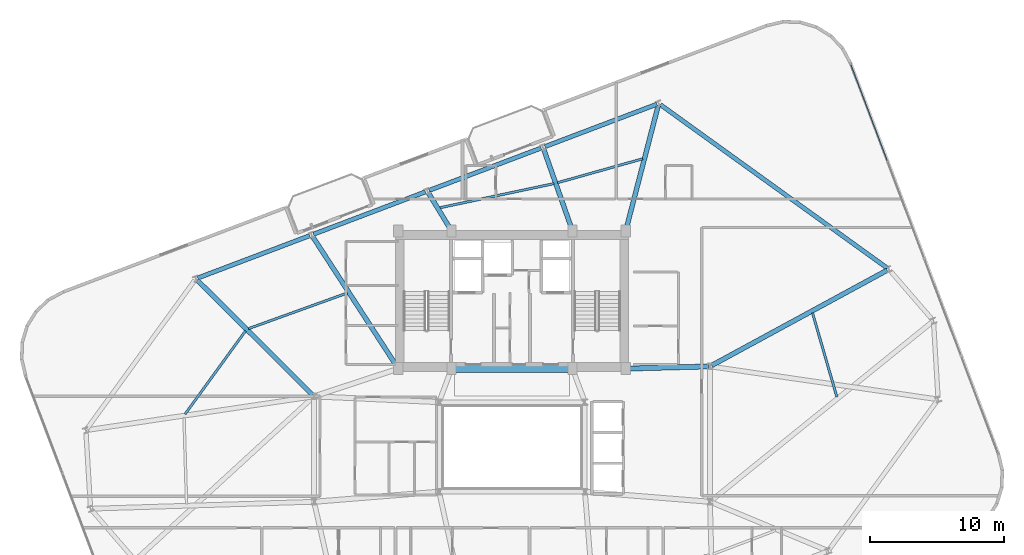
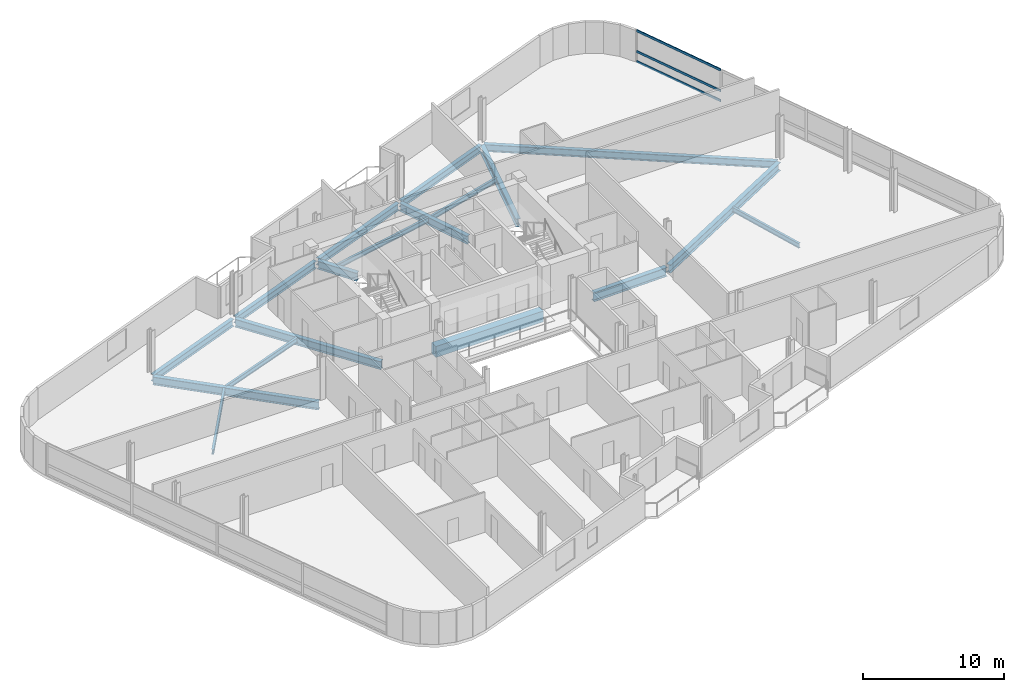
# One storey, part 9 of 20: 18 beams, 3 members, 1 element without a shape of its own.
"""IFC4 building model written with IfcOpenShell, lengths in metres."""

from ifc_helpers import new_model, si_unit, direction, frame, origin, origin_2d, place, context, subcontext, project, spatial, rectangle, hollow_rectangle, i_section, extrude, material, layer, layer_set, material_profile, profile_set, type_object, element, aggregate, save


model = new_model("IFC4")

# Units and contexts
model_context = context("Model", 3, precision=1e-05, world=origin(), true_north=direction((0.0, 1.0)))
body_context = subcontext(model_context, "Body", "Model", "MODEL_VIEW")
ifc_project = project(units=[si_unit("LENGTHUNIT", "METRE"), si_unit("AREAUNIT", "SQUARE_METRE"), si_unit("VOLUMEUNIT", "CUBIC_METRE"), si_unit("PLANEANGLEUNIT", "RADIAN"), si_unit("MASSUNIT", "GRAM", prefix="KILO")], contexts=[model_context])

# Site, building, storey
site_placement = place(None, origin())
site = spatial("IfcSite", under=ifc_project, at=site_placement, CompositionType="ELEMENT")
building_placement = place(site_placement, origin())
building = spatial("IfcBuilding", under=site, at=building_placement, Name="Varnelok Gate Tower", CompositionType="ELEMENT")
storey_placement = place(building_placement, frame((0.0, 0.0, 220.10009765625)))
storey = spatial("IfcBuildingStorey", under=building, at=storey_placement, Name="L56", CompositionType="ELEMENT", Elevation=220.10009765625)

# Beams
ifc_material_1 = material(Name="Structural Steel ASTM A992 Grade 50", Category="steel")
ifc_material_profile_1 = material_profile(ifc_material_1, i_section(OverallWidth=0.180908203125, OverallDepth=0.4169921875, WebThickness=0.010986328125, FlangeThickness=0.018310546875, FilletRadius=0.013916015625, at=origin_2d()), Name="W16X57")
ifc_profile_set_1 = profile_set([ifc_material_profile_1], Name="Structural Steel ASTM A992 Grade 50")
beam_type_1 = type_object("IfcBeamType", Name="BM-JST-W16X57", PredefinedType="JOIST", material=ifc_profile_set_1)
beam_1_placement = place(storey_placement, frame((63.483154296875, 26.640625, -0.45849609375), z_axis=(-0.278450434379, 0.960450600288, 0.0), x_axis=(-0.960450600288, -0.278450434379, 0.0)))
element("IfcBeam", 1, at=beam_1_placement, inside=storey, type_object=beam_type_1, Name="L56 Sector Floor Joist 6", PredefinedType="JOIST", context=body_context, shape_type="SweptSolid", body=[
    extrude(i_section(OverallWidth=0.180908203125, OverallDepth=0.4169921875, WebThickness=0.010986328125, FlangeThickness=0.018310546875, FilletRadius=0.013916015625, at=origin_2d()), origin(), (0.0, 0.0, 1.0), 6.541748046875),
])
beam_2_placement = place(storey_placement, frame((48.9736328125, 44.439697265625, -0.45849609375), z_axis=(-0.962703489882, -0.270558663823, 0.0), x_axis=(0.270558663823, -0.962703489882, 0.0)))
element("IfcBeam", 2, at=beam_2_placement, inside=storey, type_object=beam_type_1, Name="L56 Sector Floor Joist 7", PredefinedType="JOIST", context=body_context, shape_type="SweptSolid", body=[
    extrude(i_section(OverallWidth=0.180908203125, OverallDepth=0.4169921875, WebThickness=0.010986328125, FlangeThickness=0.018310546875, FilletRadius=0.013916015625, at=origin_2d()), origin(), (0.0, 0.0, 1.0), 6.61962890625),
])
beam_3_placement = place(storey_placement, frame((42.3291015625, 42.581787109375, -0.45849609375), z_axis=(-0.97831692742, -0.207113470162, 0.0), x_axis=(0.207113470162, -0.97831692742, 0.0)))
element("IfcBeam", 3, at=beam_3_placement, inside=storey, type_object=beam_type_1, Name="L56 Sector Floor Joist 8", PredefinedType="JOIST", context=body_context, shape_type="SweptSolid", body=[
    extrude(i_section(OverallWidth=0.180908203125, OverallDepth=0.4169921875, WebThickness=0.010986328125, FlangeThickness=0.018310546875, FilletRadius=0.013916015625, at=origin_2d()), origin(), (0.0, 0.0, 1.0), 8.733642578125),
])
beam_4_placement = place(storey_placement, frame((26.873779296875, 34.400634765625, -0.45849609375), z_axis=(-0.940629571246, -0.339434838661, 0.0), x_axis=(0.339434838661, -0.940629571246, 0.0)))
element("IfcBeam", 4, at=beam_4_placement, inside=storey, type_object=beam_type_1, Name="L56 Sector Floor Joist 9", PredefinedType="JOIST", context=body_context, shape_type="SweptSolid", body=[
    extrude(i_section(OverallWidth=0.180908203125, OverallDepth=0.4169921875, WebThickness=0.010986328125, FlangeThickness=0.018310546875, FilletRadius=0.013916015625, at=origin_2d()), origin(), (0.0, 0.0, 1.0), 7.842041015625),
])
beam_5_placement = place(storey_placement, frame((19.283447265625, 31.577880859375, -0.45849609375), z_axis=(-0.587551078191, -0.809187080048, 0.0), x_axis=(0.809187080048, -0.587551078191, 0.0)))
element("IfcBeam", 5, at=beam_5_placement, inside=storey, type_object=beam_type_1, Name="L56 Sector Floor Joist 10", PredefinedType="JOIST", context=body_context, shape_type="SweptSolid", body=[
    extrude(i_section(OverallWidth=0.180908203125, OverallDepth=0.4169921875, WebThickness=0.010986328125, FlangeThickness=0.018310546875, FilletRadius=0.013916015625, at=origin_2d()), origin(), (0.0, 0.0, 1.0), 7.697509765625),
])
ifc_material_2 = material(Name="Concrete C60/75", Category="concrete")
ifc_material_profile_2 = material_profile(ifc_material_2, rectangle(XDim=0.60009765625, YDim=0.949951171875, at=origin_2d()), Name="RC950X600")
ifc_profile_set_2 = profile_set([ifc_material_profile_2], Name="Concrete C60/75")
beam_type_2 = type_object("IfcBeamType", Name="BM-LNT-RC950", PredefinedType="LINTEL", material=ifc_profile_set_2)
beam_6_placement = place(storey_placement, frame((34.800048828125, 28.75, -0.72509765625), z_axis=(1.0, 0.0, 0.0), x_axis=(0.0, 1.0, 0.0)))
element("IfcBeam", 6, at=beam_6_placement, inside=storey, type_object=beam_type_2, Name="L56 Core-Atrium Spine Beam 7", PredefinedType="LINTEL", context=body_context, shape_type="SweptSolid", body=[
    extrude(rectangle(XDim=0.60009765625, YDim=0.949951171875, at=origin_2d()), origin(), (0.0, 0.0, 1.0), 8.800048828125),
])
ifc_material_profile_3 = material_profile(ifc_material_1, i_section(OverallWidth=0.35498046875, OverallDepth=0.696044921875, WebThickness=0.015380859375, FlangeThickness=0.02490234375, FilletRadius=0.02001953125, at=origin_2d()), Name="W27X146")
ifc_profile_set_3 = profile_set([ifc_material_profile_3], Name="Structural Steel ASTM A992 Grade 50")
beam_type_3 = type_object("IfcBeamType", Name="BM-PRI-W27X146", PredefinedType="BEAM", material=ifc_profile_set_3)
beam_7_placement = place(storey_placement, frame((54.1318359375, 28.99169921875, -0.59814453125), z_axis=(0.878855196349, 0.477088612157, 0.0), x_axis=(-0.477088612157, 0.878855196349, 0.0)))
element("IfcBeam", 7, at=beam_7_placement, inside=storey, type_object=beam_type_3, Name="L56 Radial Floor Girder 8", PredefinedType="BEAM", context=body_context, shape_type="SweptSolid", body=[
    extrude(i_section(OverallWidth=0.35498046875, OverallDepth=0.696044921875, WebThickness=0.015380859375, FlangeThickness=0.02490234375, FilletRadius=0.02001953125, at=origin_2d()), origin(), (0.0, 0.0, 1.0), 14.91650390625),
])
beam_8_placement = place(storey_placement, frame((47.73779296875, 39.1953125, -0.59814453125), z_axis=(0.251175366301, 0.967941597083, 0.0), x_axis=(-0.967941597083, 0.251175366301, 0.0)))
element("IfcBeam", 8, at=beam_8_placement, inside=storey, type_object=beam_type_3, Name="L56 Radial Floor Girder 9", PredefinedType="BEAM", context=body_context, shape_type="SweptSolid", body=[
    extrude(i_section(OverallWidth=0.35498046875, OverallDepth=0.696044921875, WebThickness=0.015380859375, FlangeThickness=0.02490234375, FilletRadius=0.02001953125, at=origin_2d()), origin(), (0.0, 0.0, 1.0), 9.537109375),
])
beam_9_placement = place(storey_placement, frame((43.670166015625, 39.19140625, -0.59814453125), z_axis=(-0.332145441042, 0.943228183419, 0.0), x_axis=(-0.943228183419, -0.332145441042, 0.0)))
element("IfcBeam", 9, at=beam_9_placement, inside=storey, type_object=beam_type_3, Name="L56 Radial Floor Girder 10", PredefinedType="BEAM", context=body_context, shape_type="SweptSolid", body=[
    extrude(i_section(OverallWidth=0.35498046875, OverallDepth=0.696044921875, WebThickness=0.015380859375, FlangeThickness=0.02490234375, FilletRadius=0.02001953125, at=origin_2d()), origin(), (0.0, 0.0, 1.0), 6.32275390625),
])
beam_10_placement = place(storey_placement, frame((34.60205078125, 39.177978515625, -0.59814453125), z_axis=(-0.520275699177, 0.853998358808, 0.0), x_axis=(-0.853998358808, -0.520275699177, 0.0)))
element("IfcBeam", 10, at=beam_10_placement, inside=storey, type_object=beam_type_3, Name="L56 Radial Floor Girder 11", PredefinedType="BEAM", context=body_context, shape_type="SweptSolid", body=[
    extrude(i_section(OverallWidth=0.35498046875, OverallDepth=0.696044921875, WebThickness=0.015380859375, FlangeThickness=0.02490234375, FilletRadius=0.02001953125, at=origin_2d()), origin(), (0.0, 0.0, 1.0), 3.18017578125),
])
beam_11_placement = place(storey_placement, frame((30.618408203125, 28.8759765625, -0.59814453125), z_axis=(-0.544016338938, 0.839074623004, 0.0), x_axis=(-0.839074623004, -0.544016338938, 0.0)))
element("IfcBeam", 11, at=beam_11_placement, inside=storey, type_object=beam_type_3, Name="L56 Radial Floor Girder 12", PredefinedType="BEAM", context=body_context, shape_type="SweptSolid", body=[
    extrude(i_section(OverallWidth=0.35498046875, OverallDepth=0.696044921875, WebThickness=0.015380859375, FlangeThickness=0.02490234375, FilletRadius=0.02001953125, at=origin_2d()), origin(), (0.0, 0.0, 1.0), 11.61376953125),
])
beam_12_placement = place(storey_placement, frame((24.293701171875, 26.785888671875, -0.59814453125), z_axis=(-0.708740938647, 0.705468838352, 0.0), x_axis=(-0.705468838352, -0.708740938647, 0.0)))
element("IfcBeam", 12, at=beam_12_placement, inside=storey, type_object=beam_type_3, Name="L56 Radial Floor Girder 13", PredefinedType="BEAM", context=body_context, shape_type="SweptSolid", body=[
    extrude(i_section(OverallWidth=0.35498046875, OverallDepth=0.696044921875, WebThickness=0.015380859375, FlangeThickness=0.02490234375, FilletRadius=0.02001953125, at=origin_2d()), origin(), (0.0, 0.0, 1.0), 12.161865234375),
])
ifc_material_profile_4 = material_profile(ifc_material_1, i_section(OverallWidth=0.381103515625, OverallDepth=0.77294921875, WebThickness=0.0166015625, FlangeThickness=0.027099609375, FilletRadius=0.02197265625, at=origin_2d()), Name="W30X173")
ifc_profile_set_4 = profile_set([ifc_material_profile_4], Name="Structural Steel ASTM A992 Grade 50")
beam_type_4 = type_object("IfcBeamType", Name="BM-PRI-W30X173", PredefinedType="BEAM", material=ifc_profile_set_4)
beam_13_placement = place(storey_placement, frame((47.820068359375, 28.753173828125, -0.63671875), z_axis=(0.999635880609, 0.026983443053, 0.0), x_axis=(-0.026983443053, 0.999635880609, 0.0)))
element("IfcBeam", 13, at=beam_13_placement, inside=storey, type_object=beam_type_4, Name="L56 Core-Atrium Spine Beam 19", PredefinedType="BEAM", context=body_context, shape_type="SweptSolid", body=[
    extrude(i_section(OverallWidth=0.381103515625, OverallDepth=0.77294921875, WebThickness=0.0166015625, FlangeThickness=0.027099609375, FilletRadius=0.02197265625, at=origin_2d()), origin(), (0.0, 0.0, 1.0), 6.06201171875),
])
ifc_material_profile_5 = material_profile(ifc_material_1, i_section(OverallWidth=0.323974609375, OverallDepth=0.611083984375, WebThickness=0.0126953125, FlangeThickness=0.01904296875, FilletRadius=0.01806640625, at=origin_2d()), Name="W24X104")
ifc_profile_set_5 = profile_set([ifc_material_profile_5], Name="Structural Steel ASTM A992 Grade 50")
beam_type_5 = type_object("IfcBeamType", Name="BM-SPN-W24X104", PredefinedType="SPANDREL", material=ifc_profile_set_5)
beam_14_placement = place(storey_placement, frame((67.251220703125, 36.267333984375, -0.5556640625), z_axis=(-0.811382769408, 0.58451518501, 0.0), x_axis=(-0.58451518501, -0.811382769408, 0.0)))
element("IfcBeam", 14, at=beam_14_placement, inside=storey, type_object=beam_type_5, Name="L56 Perimeter Spandrel Beam 8", PredefinedType="SPANDREL", context=body_context, shape_type="SweptSolid", body=[
    extrude(i_section(OverallWidth=0.323974609375, OverallDepth=0.611083984375, WebThickness=0.0126953125, FlangeThickness=0.01904296875, FilletRadius=0.01806640625, at=origin_2d()), origin(), (0.0, 0.0, 1.0), 20.900634765625),
])
beam_15_placement = place(storey_placement, frame((50.03076171875, 48.518798828125, -0.5556640625), z_axis=(-0.935220356141, -0.354066216208, 0.0), x_axis=(0.354066216208, -0.935220356141, 0.0)))
element("IfcBeam", 15, at=beam_15_placement, inside=storey, type_object=beam_type_5, Name="L56 Perimeter Spandrel Beam 9", PredefinedType="SPANDREL", context=body_context, shape_type="SweptSolid", body=[
    extrude(i_section(OverallWidth=0.323974609375, OverallDepth=0.611083984375, WebThickness=0.0126953125, FlangeThickness=0.01904296875, FilletRadius=0.01806640625, at=origin_2d()), origin(), (0.0, 0.0, 1.0), 8.9501953125),
])
for number, where, z_axis, x_axis, name in (
    (16, (41.3798828125, 45.24365234375, -0.5556640625), (-0.935225969099, -0.354051389947, 0.0), (0.354051389947, -0.935225969099, 0.0), "L56 Perimeter Spandrel Beam 10"),
    (17, (32.72900390625, 41.96875, -0.5556640625), (-0.935216936382, -0.354075248928, 0.0), (0.354075248928, -0.935216936382, 0.0), "L56 Perimeter Spandrel Beam 11"),
):
    element("IfcBeam", number, at=place(storey_placement, frame(where, z_axis=z_axis, x_axis=x_axis)), inside=storey, type_object=beam_type_5, Name=name, PredefinedType="SPANDREL", context=body_context, shape_type="SweptSolid", body=[
        extrude(i_section(OverallWidth=0.323974609375, OverallDepth=0.611083984375, WebThickness=0.0126953125, FlangeThickness=0.01904296875, FilletRadius=0.01806640625, at=origin_2d()), origin(), (0.0, 0.0, 1.0), 8.949951171875),
    ])
beam_16_placement = place(storey_placement, frame((24.078369140625, 38.693603515625, -0.5556640625), z_axis=(-0.935220356141, -0.354066216208, 0.0), x_axis=(0.354066216208, -0.935220356141, 0.0)))
element("IfcBeam", 18, at=beam_16_placement, inside=storey, type_object=beam_type_5, Name="L56 Perimeter Spandrel Beam 12", PredefinedType="SPANDREL", context=body_context, shape_type="SweptSolid", body=[
    extrude(i_section(OverallWidth=0.323974609375, OverallDepth=0.611083984375, WebThickness=0.0126953125, FlangeThickness=0.01904296875, FilletRadius=0.01806640625, at=origin_2d()), origin(), (0.0, 0.0, 1.0), 8.9501953125),
])

# Curtain wall, members
ifc_material_3 = material(Name="Anodized Aluminum Alloy 6063-T6", Category="aluminium")
ifc_layer = layer(ifc_material_3, 0.179931640625)
ifc_layer_set = layer_set([ifc_layer], Name="Anodized Aluminum Alloy 6063-T6")
curtain_wall_type = type_object("IfcCurtainWallType", Name="CW4-RESIDENCE-VISION", PredefinedType="USERDEFINED", material=ifc_layer_set)
curtain_wall_placement = place(storey_placement, origin())
curtain_wall = element("IfcCurtainWall", 19, at=curtain_wall_placement, inside=storey, type_object=curtain_wall_type, Name="L56 East End Vision Curtain Wall", ObjectType="UNITISED CURTAIN WALL", PredefinedType="USERDEFINED")
ifc_material_profile_6 = material_profile(ifc_material_3, hollow_rectangle(XDim=0.074951171875, YDim=0.199951171875, WallThickness=0.00390625, at=origin_2d()), Name="ALU200X75X4")
ifc_profile_set_6 = profile_set([ifc_material_profile_6], Name="Anodized Aluminum Alloy 6063-T6")
member_type = type_object("IfcMemberType", Name="CW-TRAN-200", PredefinedType="USERDEFINED", material=ifc_profile_set_6)
member_1_placement = place(storey_placement, frame((64.528076171875, 51.4892578125, 0.037353515625), z_axis=(0.354073041953, -0.935217771945, 0.0), x_axis=(0.935217771945, 0.354073041953, 0.0)))
member_1 = element("IfcMember", 20, at=member_1_placement, type_object=member_type, Name="CW4 transom 1.1", ObjectType="TRANSOM", PredefinedType="USERDEFINED", context=body_context, shape_type="SweptSolid", body=[
    extrude(hollow_rectangle(XDim=0.074951171875, YDim=0.199951171875, WallThickness=0.00390625, at=origin_2d()), origin(), (0.0, 0.0, 1.0), 7.6875),
])
member_2_placement = place(storey_placement, frame((64.528076171875, 51.4892578125, 0.89990234375), z_axis=(0.354073041953, -0.935217771945, 0.0), x_axis=(0.935217771945, 0.354073041953, 0.0)))
member_2 = element("IfcMember", 21, at=member_2_placement, type_object=member_type, Name="CW4 transom 1.2", ObjectType="TRANSOM", PredefinedType="USERDEFINED", context=body_context, shape_type="SweptSolid", body=[
    extrude(hollow_rectangle(XDim=0.074951171875, YDim=0.199951171875, WallThickness=0.00390625, at=origin_2d()), origin(), (0.0, 0.0, 1.0), 7.6875),
])
member_3_placement = place(storey_placement, frame((64.528076171875, 51.4892578125, 2.6923828125), z_axis=(0.354073041953, -0.935217771945, 0.0), x_axis=(0.935217771945, 0.354073041953, 0.0)))
member_3 = element("IfcMember", 22, at=member_3_placement, type_object=member_type, Name="CW4 transom 1.3", ObjectType="TRANSOM", PredefinedType="USERDEFINED", context=body_context, shape_type="SweptSolid", body=[
    extrude(hollow_rectangle(XDim=0.074951171875, YDim=0.199951171875, WallThickness=0.00390625, at=origin_2d()), origin(), (0.0, 0.0, 1.0), 7.6875),
])
aggregate(curtain_wall, [member_1, member_2, member_3])

save(model, "model.ifc")
